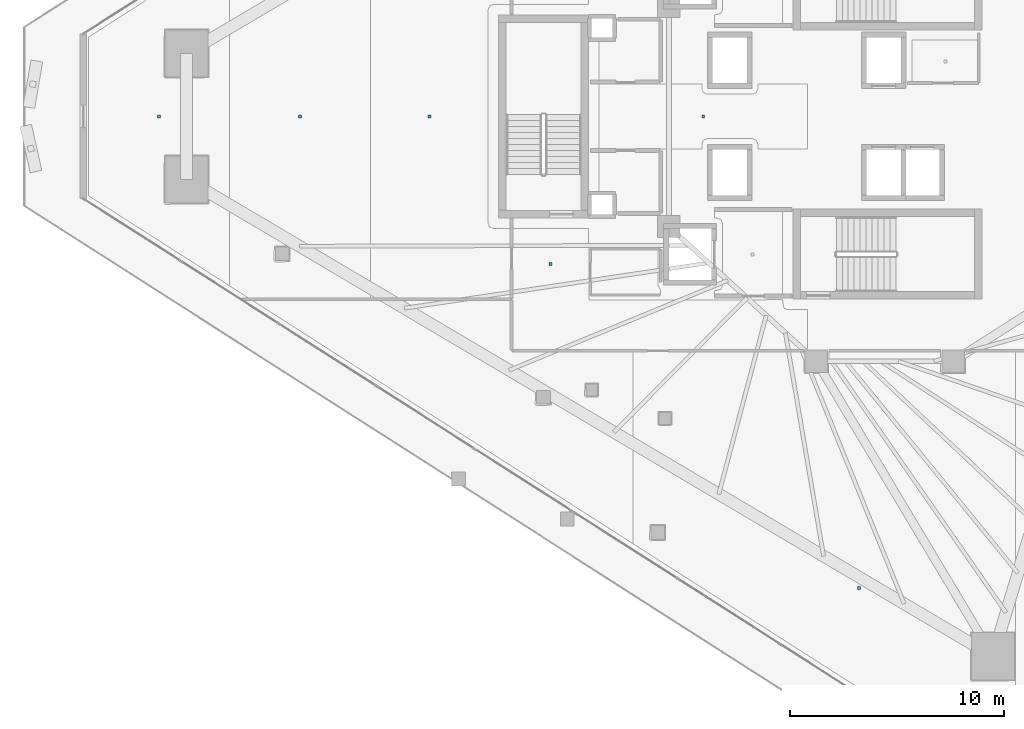
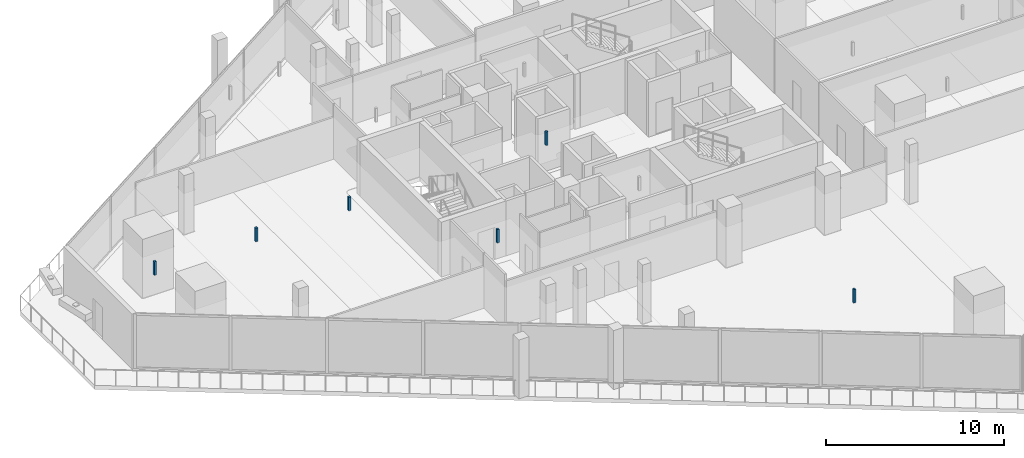
# One storey, part 30 of 42: 6 discrete accessories.
"""IFC4 building model written with IfcOpenShell, lengths in metres."""

from ifc_helpers import new_model, si_unit, direction, frame, origin, origin_2d, place, context, subcontext, project, spatial, rectangle, extrude, material, type_object, element, save


model = new_model("IFC4")

# Units and contexts
model_context = context("Model", 3, precision=1e-05, world=origin(), true_north=direction((0.0, 1.0)))
body_context = subcontext(model_context, "Body", "Model", "MODEL_VIEW")
ifc_project = project(units=[si_unit("LENGTHUNIT", "METRE"), si_unit("AREAUNIT", "SQUARE_METRE"), si_unit("VOLUMEUNIT", "CUBIC_METRE"), si_unit("PLANEANGLEUNIT", "RADIAN"), si_unit("MASSUNIT", "GRAM", prefix="KILO")], contexts=[model_context])

# Site, building, storey
site_placement = place(None, origin())
site = spatial("IfcSite", under=ifc_project, at=site_placement, CompositionType="ELEMENT")
building_placement = place(site_placement, origin())
building = spatial("IfcBuilding", under=site, at=building_placement, Name="Qorvath Tower", CompositionType="ELEMENT")
storey_placement = place(building_placement, frame((0.0, 0.0, 121.949951171875)))
storey = spatial("IfcBuildingStorey", under=building, at=storey_placement, Name="L27", CompositionType="ELEMENT", Elevation=121.949951171875)

# Discrete accessories
ifc_material = material(Name="Galvanised steel bracket", Category="steel")
discrete_accessory_type = type_object("IfcDiscreteAccessoryType", Name="DA-BRACKET", PredefinedType="BRACKET", material=ifc_material)
for number, where, z_axis, x_axis, name in (
    (1, (-36.04150390625, -6.906982421875, 2.860107421875), (0.0, 0.0, 1.0), (1.0, 0.0, 0.0), "Acoustic Ceiling Suspension Hanger T1-L27-008"),
    (2, (-28.889892578125, 0.0, 2.860107421875), (0.0, 0.0, 1.0), (1.0, 0.0, 0.0), "Acoustic Ceiling Suspension Hanger T1-L27-010"),
    (3, (-21.61181640625, -22.045166015625, 2.860107421875), (0.0, 0.0, 1.0), (1.0, 0.0, 0.0), "Acoustic Ceiling Suspension Hanger T1-L27-025"),
    (4, (-54.3388671875, -0.0087890625, 2.860107421875), (0.0, 0.0, 1.0), (1.0, 0.0, 0.0), "Acoustic Ceiling Suspension Hanger T1-L27-034"),
    (5, (-47.74853515625, -0.0087890625, 2.860107421875), (0.0, 0.0, 1.0), (1.0, 0.0, 0.0), "Acoustic Ceiling Suspension Hanger T1-L27-035"),
    (6, (-41.70166015625, 0.0, 2.860107421875), (0.0, 0.0, 1.0), (1.0, 0.0, 0.0), "Acoustic Ceiling Suspension Hanger T1-L27-036"),
):
    element("IfcDiscreteAccessory", number, at=place(storey_placement, frame(where, z_axis=z_axis, x_axis=x_axis)), inside=storey, type_object=discrete_accessory_type, Name=name, PredefinedType="NOTDEFINED", context=body_context, shape_type="SweptSolid", body=[
        extrude(rectangle(XDim=0.139892578125, YDim=0.139892578125, at=origin_2d()), origin(), (0.0, 0.0, 1.0), 0.93994140625),
    ])

save(model, "model.ifc")
